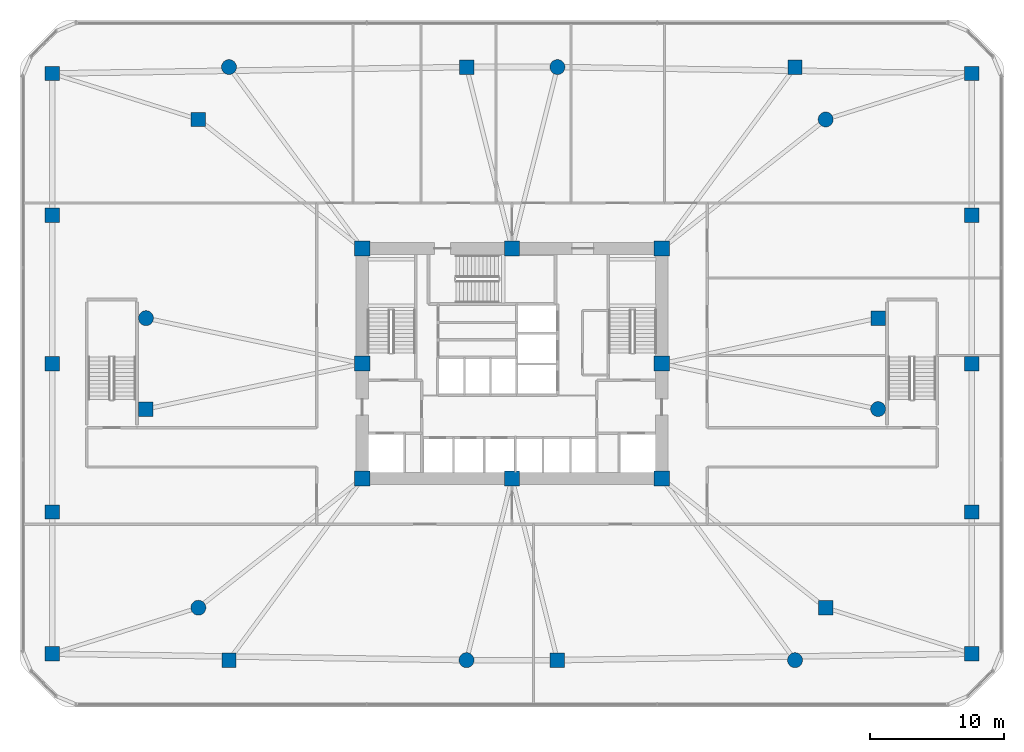
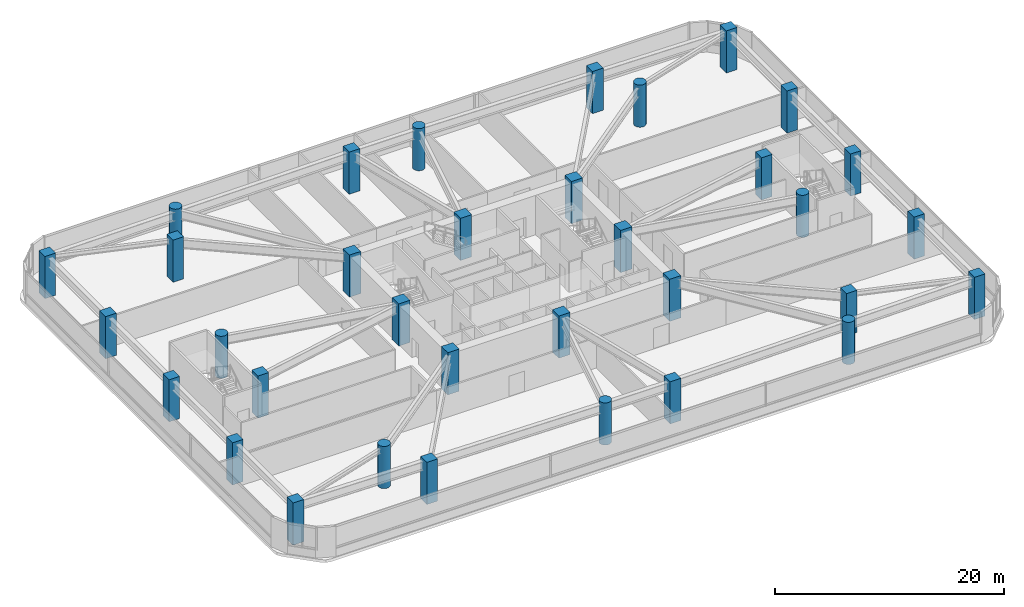
# One storey, part 1 of 21: 34 columns.
"""IFC4 building model written with IfcOpenShell, lengths in metres."""

from ifc_helpers import new_model, si_unit, derived_unit, direction, frame, origin, origin_2d, place, context, subcontext, project, spatial, rectangle, circle, extrude, material, material_profile, profile_set, type_object, element, save


model = new_model("IFC4")

# Units and contexts
model_context = context("Model", 3, precision=1e-05, world=origin(), true_north=direction((0.0, 1.0)))
body_context = subcontext(model_context, "Body", "Model", "MODEL_VIEW")
ifc_project = project(units=[si_unit("LENGTHUNIT", "METRE"), si_unit("AREAUNIT", "SQUARE_METRE"), si_unit("VOLUMEUNIT", "CUBIC_METRE"), si_unit("PLANEANGLEUNIT", "RADIAN"), si_unit("MASSUNIT", "GRAM", prefix="KILO"), derived_unit("THERMALTRANSMITTANCEUNIT", [(si_unit("POWERUNIT", "WATT"), 1), (si_unit("LENGTHUNIT", "METRE"), -2), (si_unit("THERMODYNAMICTEMPERATUREUNIT", "KELVIN"), -1)])], contexts=[model_context])

# Site, building, storey
site_placement = place(None, origin())
site = spatial("IfcSite", under=ifc_project, at=site_placement, CompositionType="ELEMENT")
building_placement = place(site_placement, origin())
building = spatial("IfcBuilding", under=site, at=building_placement, Name="Koralith Skygarden Medical Center", CompositionType="ELEMENT")
storey_placement = place(building_placement, frame((0.0, 0.0, 14.39990234375)))
storey = spatial("IfcBuildingStorey", under=building, at=storey_placement, Name="L03", CompositionType="ELEMENT", Elevation=14.39990234375)

# Columns
ifc_material = material(Name="Concrete C70/85", Category="concrete")
ifc_material_profile_1 = material_profile(ifc_material, rectangle(XDim=1.139892578125, YDim=1.139892578125, at=origin_2d()), Name="RC1140X1140")
ifc_profile_set_1 = profile_set([ifc_material_profile_1], Name="Concrete C70/85")
column_type_1 = type_object("IfcColumnType", Name="Core Mega-Column C70 RC1140", PredefinedType="COLUMN", material=ifc_profile_set_1)
for number, where, z_axis, x_axis, name in (
    (1, (25.800048828125, 17.300048828125, 0.0), (0.0, 0.0, 1.0), (1.0, 0.0, 0.0), "L03 Core Column CC-01"),
    (2, (37.0, 17.300048828125, 0.0), (0.0, 0.0, 1.0), (1.0, 0.0, 0.0), "L03 Core Column CC-02"),
    (3, (48.199951171875, 17.300048828125, 0.0), (0.0, 0.0, 1.0), (1.0, 0.0, 0.0), "L03 Core Column CC-03"),
    (4, (48.199951171875, 25.89990234375, 0.0), (0.0, 0.0, 1.0), (1.0, 0.0, 0.0), "L03 Core Column CC-04"),
    (5, (48.199951171875, 34.5, 0.0), (0.0, 0.0, 1.0), (1.0, 0.0, 0.0), "L03 Core Column CC-05"),
    (6, (37.0, 34.5, 0.0), (0.0, 0.0, 1.0), (1.0, 0.0, 0.0), "L03 Core Column CC-06"),
    (7, (25.800048828125, 34.5, 0.0), (0.0, 0.0, 1.0), (1.0, 0.0, 0.0), "L03 Core Column CC-07"),
    (8, (25.800048828125, 25.89990234375, 0.0), (0.0, 0.0, 1.0), (1.0, 0.0, 0.0), "L03 Core Column CC-08"),
):
    element("IfcColumn", number, at=place(storey_placement, frame(where, z_axis=z_axis, x_axis=x_axis)), inside=storey, type_object=column_type_1, Name=name, PredefinedType="COLUMN", context=body_context, shape_type="SweptSolid", body=[
        extrude(rectangle(XDim=1.139892578125, YDim=1.139892578125, at=origin_2d()), origin(), (0.0, 0.0, 1.0), 4.5),
    ])
ifc_material_profile_2 = material_profile(ifc_material, rectangle(XDim=1.080078125, YDim=1.080078125, at=origin_2d()), Name="RC1080X1080")
ifc_profile_set_2 = profile_set([ifc_material_profile_2], Name="Concrete C70/85")
column_type_2 = type_object("IfcColumnType", Name="Podium Perimeter Column C70 RC1080", PredefinedType="COLUMN", material=ifc_profile_set_2)
for number, where, z_axis, x_axis, name in (
    (9, (2.60009765625, 4.199951171875, 0.0), (0.0, 0.0, 1.0), (1.0, 0.0, 0.0), "L03 Podium Perimeter Column PC-01"),
    (10, (2.60009765625, 14.800048828125, 0.0), (0.0, 0.0, 1.0), (1.0, 0.0, 0.0), "L03 Podium Perimeter Column PC-02"),
    (11, (2.60009765625, 25.89990234375, 0.0), (0.0, 0.0, 1.0), (1.0, 0.0, 0.0), "L03 Podium Perimeter Column PC-03"),
    (12, (2.60009765625, 37.0, 0.0), (0.0, 0.0, 1.0), (1.0, 0.0, 0.0), "L03 Podium Perimeter Column PC-04"),
    (13, (2.60009765625, 47.60009765625, 0.0), (0.0, 0.0, 1.0), (1.0, 0.0, 0.0), "L03 Podium Perimeter Column PC-05"),
    (14, (71.39990234375, 4.199951171875, 0.0), (0.0, 0.0, 1.0), (1.0, 0.0, 0.0), "L03 Podium Perimeter Column PC-06"),
    (15, (71.39990234375, 14.800048828125, 0.0), (0.0, 0.0, 1.0), (1.0, 0.0, 0.0), "L03 Podium Perimeter Column PC-07"),
    (16, (71.39990234375, 25.89990234375, 0.0), (0.0, 0.0, 1.0), (1.0, 0.0, 0.0), "L03 Podium Perimeter Column PC-08"),
    (17, (71.39990234375, 37.0, 0.0), (0.0, 0.0, 1.0), (1.0, 0.0, 0.0), "L03 Podium Perimeter Column PC-09"),
    (18, (71.39990234375, 47.60009765625, 0.0), (0.0, 0.0, 1.0), (1.0, 0.0, 0.0), "L03 Podium Perimeter Column PC-10"),
):
    element("IfcColumn", number, at=place(storey_placement, frame(where, z_axis=z_axis, x_axis=x_axis)), inside=storey, type_object=column_type_2, Name=name, PredefinedType="COLUMN", context=body_context, shape_type="SweptSolid", body=[
        extrude(rectangle(XDim=1.080078125, YDim=1.080078125, at=origin_2d()), origin(), (0.0, 0.0, 1.0), 4.5),
    ])
ifc_material_profile_3 = material_profile(ifc_material, circle(Radius=0.56005859375, at=origin_2d()), Name="RCCOL1120")
ifc_profile_set_3 = profile_set([ifc_material_profile_3], Name="Concrete C70/85")
column_type_3 = type_object("IfcColumnType", Name="Station Round Mega-Column C70 D1120", PredefinedType="COLUMN", material=ifc_profile_set_3)
for number, where, z_axis, x_axis, name in (
    (19, (13.5400390625, 7.639892578125, 0.0), (0.0, 0.0, 1.0), (1.0, 0.0, 0.0), "L03 Tower Base Mega-Column TB-02"),
    (20, (33.60009765625, 3.719970703125, 0.0), (0.0, 0.0, 1.0), (1.0, 0.0, 0.0), "L03 Tower Base Mega-Column TB-04"),
    (21, (58.16796875, 3.719970703125, 0.0), (0.0, 0.0, 1.0), (1.0, 0.0, 0.0), "L03 Tower Base Mega-Column TB-06"),
    (22, (64.3798828125, 22.5, 0.0), (0.0, 0.0, 1.0), (1.0, 0.0, 0.0), "L03 Tower Base Mega-Column TB-08"),
    (23, (60.4599609375, 44.159912109375, 0.0), (0.0, 0.0, 1.0), (1.0, 0.0, 0.0), "L03 Tower Base Mega-Column TB-10"),
    (24, (40.39990234375, 48.080078125, 0.0), (0.0, 0.0, 1.0), (1.0, 0.0, 0.0), "L03 Tower Base Mega-Column TB-12"),
    (25, (15.83203125, 48.080078125, 0.0), (0.0, 0.0, 1.0), (1.0, 0.0, 0.0), "L03 Tower Base Mega-Column TB-14"),
    (26, (9.6201171875, 29.300048828125, 0.0), (0.0, 0.0, 1.0), (1.0, 0.0, 0.0), "L03 Tower Base Mega-Column TB-16"),
):
    element("IfcColumn", number, at=place(storey_placement, frame(where, z_axis=z_axis, x_axis=x_axis)), inside=storey, type_object=column_type_3, Name=name, PredefinedType="COLUMN", context=body_context, shape_type="SweptSolid", body=[
        extrude(circle(Radius=0.56005859375, at=origin_2d()), origin(), (0.0, 0.0, 1.0), 4.5),
    ])
ifc_material_profile_4 = material_profile(ifc_material, rectangle(XDim=1.080078125, YDim=1.080078125, at=origin_2d()), Name="RC1080X1080")
ifc_profile_set_4 = profile_set([ifc_material_profile_4], Name="Concrete C70/85")
column_type_4 = type_object("IfcColumnType", Name="Zone 1 Octagonal Mega-Column C70 RC1080", PredefinedType="COLUMN", material=ifc_profile_set_4)
for number, where, z_axis, x_axis, name in (
    (27, (9.6201171875, 22.5, 0.0), (0.0, 0.0, 1.0), (1.0, 0.0, 0.0), "L03 Tower Base Mega-Column TB-01"),
    (28, (15.83203125, 3.719970703125, 0.0), (0.0, 0.0, 1.0), (1.0, 0.0, 0.0), "L03 Tower Base Mega-Column TB-03"),
    (29, (40.39990234375, 3.719970703125, 0.0), (0.0, 0.0, 1.0), (1.0, 0.0, 0.0), "L03 Tower Base Mega-Column TB-05"),
    (30, (60.4599609375, 7.639892578125, 0.0), (0.0, 0.0, 1.0), (1.0, 0.0, 0.0), "L03 Tower Base Mega-Column TB-07"),
    (31, (64.3798828125, 29.300048828125, 0.0), (0.0, 0.0, 1.0), (1.0, 0.0, 0.0), "L03 Tower Base Mega-Column TB-09"),
    (32, (58.16796875, 48.080078125, 0.0), (0.0, 0.0, 1.0), (1.0, 0.0, 0.0), "L03 Tower Base Mega-Column TB-11"),
    (33, (33.60009765625, 48.080078125, 0.0), (0.0, 0.0, 1.0), (1.0, 0.0, 0.0), "L03 Tower Base Mega-Column TB-13"),
    (34, (13.5400390625, 44.159912109375, 0.0), (0.0, 0.0, 1.0), (1.0, 0.0, 0.0), "L03 Tower Base Mega-Column TB-15"),
):
    element("IfcColumn", number, at=place(storey_placement, frame(where, z_axis=z_axis, x_axis=x_axis)), inside=storey, type_object=column_type_4, Name=name, PredefinedType="COLUMN", context=body_context, shape_type="SweptSolid", body=[
        extrude(rectangle(XDim=1.080078125, YDim=1.080078125, at=origin_2d()), origin(), (0.0, 0.0, 1.0), 4.5),
    ])

save(model, "model.ifc")
